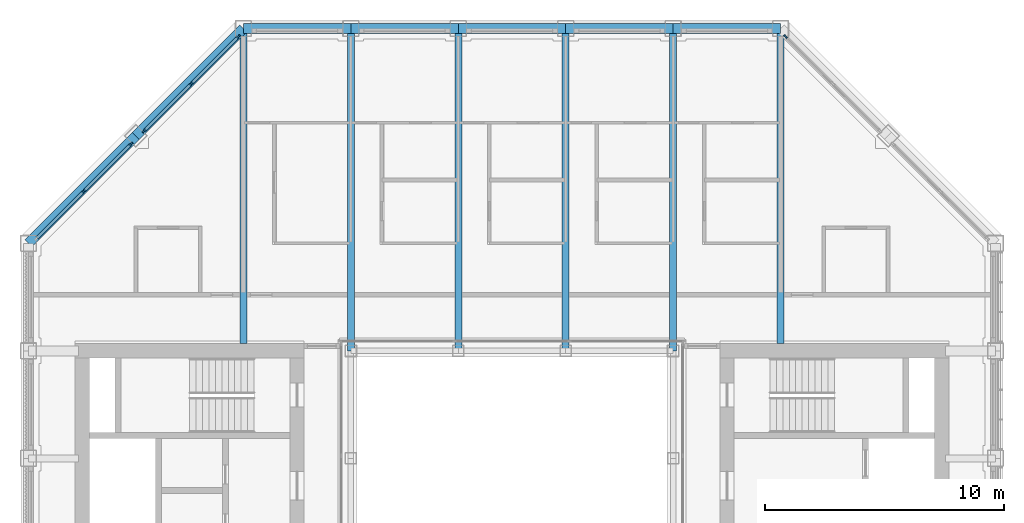
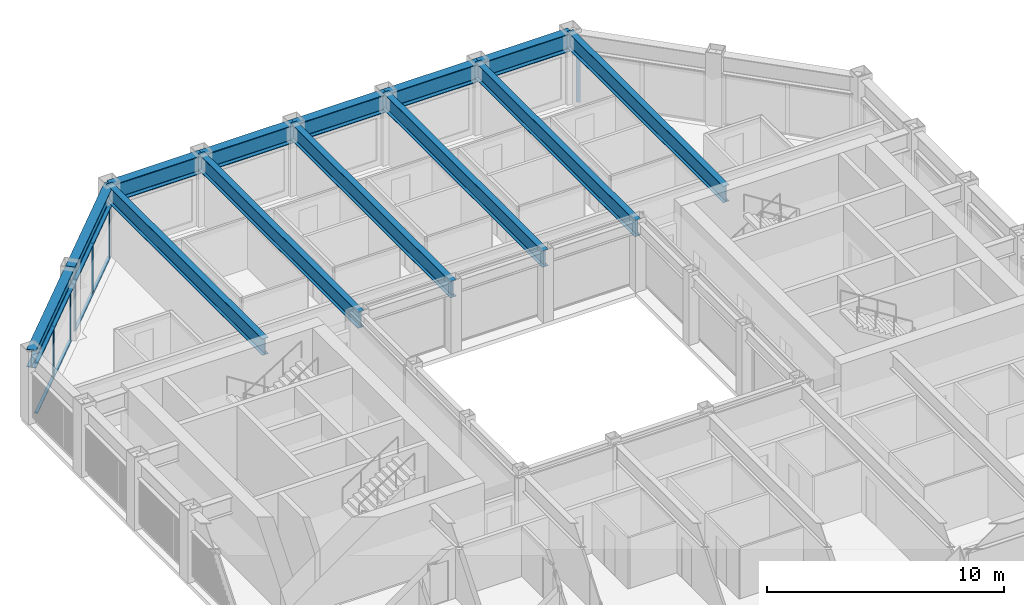
# One storey, part 6 of 18: 14 members, 13 beams, 3 elements without a shape of their own.
"""IFC4 building model written with IfcOpenShell, lengths in metres."""

from ifc_helpers import new_model, si_unit, direction, frame, origin, origin_2d, place, context, subcontext, project, spatial, rectangle, i_section, extrude, material, material_profile, profile_set, type_object, element, aggregate, save


model = new_model("IFC4")

# Units and contexts
model_context = context("Model", 3, precision=1e-05, world=origin(), true_north=direction((0.0, 1.0)))
body_context = subcontext(model_context, "Body", "Model", "MODEL_VIEW")
ifc_project = project(units=[si_unit("LENGTHUNIT", "METRE"), si_unit("AREAUNIT", "SQUARE_METRE"), si_unit("VOLUMEUNIT", "CUBIC_METRE"), si_unit("PLANEANGLEUNIT", "RADIAN"), si_unit("MASSUNIT", "GRAM", prefix="KILO")], contexts=[model_context])

# Site, building, storey
site_placement = place(None, origin())
site = spatial("IfcSite", under=ifc_project, at=site_placement, CompositionType="ELEMENT")
building_placement = place(site_placement, origin())
building = spatial("IfcBuilding", under=site, at=building_placement, Name="Msasa Ring Tower", CompositionType="ELEMENT")
storey_placement = place(building_placement, frame((0.0, 0.0, 245.800048828125)))
storey = spatial("IfcBuildingStorey", under=building, at=storey_placement, Name="L64", CompositionType="ELEMENT", Elevation=245.800048828125)

# Curtain wall, member
ifc_material_1 = material(Name="Aluminium curtain wall with clear glass", Category="aluminium")
curtain_wall_type = type_object("IfcCurtainWallType", Name="CW-C CHAMFER CORNER CURTAIN WALL", PredefinedType="NOTDEFINED", material=ifc_material_1)
curtain_wall_1_placement = place(storey_placement, origin())
curtain_wall_1 = element("IfcCurtainWall", 1, at=curtain_wall_1_placement, inside=storey, type_object=curtain_wall_type, Name="Chamfer corner curtain wall NE L64", PredefinedType="NOTDEFINED")
ifc_material_2 = material(Name="Aluminium mullion", Category="aluminium")
ifc_material_profile_1 = material_profile(ifc_material_2, rectangle(XDim=0.06494140625, YDim=0.179931640625, at=origin_2d()), Name="AL 65x180")
ifc_profile_set_1 = profile_set([ifc_material_profile_1], Name="Aluminium mullion")
member_type_1 = type_object("IfcMemberType", Name="CW-C MULLION 65x180", PredefinedType="MULLION", material=ifc_profile_set_1)
member_1_placement = place(storey_placement, frame((11.453369140625, 19.9052734375, 0.0), z_axis=(0.0, 0.0, 1.0), x_axis=(-0.707106781187, -0.707106781187, 0.0)))
member_1 = element("IfcMember", 2, at=member_1_placement, type_object=member_type_1, Name="CW-C mullion 3", PredefinedType="MULLION", context=body_context, shape_type="SweptSolid", body=[
    extrude(rectangle(XDim=0.06494140625, YDim=0.179931640625, at=origin_2d()), origin(), (0.0, 0.0, 1.0), 2.62890625),
])
aggregate(curtain_wall_1, [member_1])

# Curtain wall, members
curtain_wall_2_placement = place(storey_placement, origin())
curtain_wall_2 = element("IfcCurtainWall", 3, at=curtain_wall_2_placement, inside=storey, type_object=curtain_wall_type, Name="Chamfer corner curtain wall NW L64", PredefinedType="NOTDEFINED")
member_2_placement = place(storey_placement, frame((-15.953369140625, 15.4052734375, 0.0), z_axis=(0.0, 0.0, 1.0), x_axis=(0.707106781187, -0.707106781187, 0.0)))
member_2 = element("IfcMember", 4, at=member_2_placement, type_object=member_type_1, Name="CW-C mullion 1", PredefinedType="MULLION", context=body_context, shape_type="SweptSolid", body=[
    extrude(rectangle(XDim=0.06494140625, YDim=0.179931640625, at=origin_2d()), origin(), (0.0, 0.0, 1.0), 2.62890625),
])
member_3_placement = place(storey_placement, frame((-17.92919921875, 13.42919921875, 0.0), z_axis=(0.0, 0.0, 1.0), x_axis=(0.707106781187, -0.707106781187, 0.0)))
member_3 = element("IfcMember", 5, at=member_3_placement, type_object=member_type_1, Name="CW-C mullion 2", PredefinedType="MULLION", context=body_context, shape_type="SweptSolid", body=[
    extrude(rectangle(XDim=0.06494140625, YDim=0.179931640625, at=origin_2d()), origin(), (0.0, 0.0, 1.0), 2.62890625),
])

curtain_wall_3_placement = place(storey_placement, origin())
curtain_wall_3 = element("IfcCurtainWall", 6, at=curtain_wall_3_placement, inside=storey, type_object=curtain_wall_type, Name="Chamfer corner curtain wall NW L64", PredefinedType="NOTDEFINED")
member_4_placement = place(storey_placement, frame((-11.453369140625, 19.9052734375, 0.0), z_axis=(0.0, 0.0, 1.0), x_axis=(0.707106781187, -0.707106781187, 0.0)))
member_4 = element("IfcMember", 7, at=member_4_placement, type_object=member_type_1, Name="CW-C mullion 1", PredefinedType="MULLION", context=body_context, shape_type="SweptSolid", body=[
    extrude(rectangle(XDim=0.06494140625, YDim=0.179931640625, at=origin_2d()), origin(), (0.0, 0.0, 1.0), 2.62890625),
])
member_5_placement = place(storey_placement, frame((-13.42919921875, 17.92919921875, 0.0), z_axis=(0.0, 0.0, 1.0), x_axis=(0.707106781187, -0.707106781187, 0.0)))
member_5 = element("IfcMember", 8, at=member_5_placement, type_object=member_type_1, Name="CW-C mullion 2", PredefinedType="MULLION", context=body_context, shape_type="SweptSolid", body=[
    extrude(rectangle(XDim=0.06494140625, YDim=0.179931640625, at=origin_2d()), origin(), (0.0, 0.0, 1.0), 2.62890625),
])
member_6_placement = place(storey_placement, frame((-15.4052734375, 15.953369140625, 0.0), z_axis=(0.0, 0.0, 1.0), x_axis=(0.707106781187, -0.707106781187, 0.0)))
member_6 = element("IfcMember", 9, at=member_6_placement, type_object=member_type_1, Name="CW-C mullion 3", PredefinedType="MULLION", context=body_context, shape_type="SweptSolid", body=[
    extrude(rectangle(XDim=0.06494140625, YDim=0.179931640625, at=origin_2d()), origin(), (0.0, 0.0, 1.0), 2.62890625),
])

# Member
ifc_material_3 = material(Name="Aluminium transom", Category="aluminium")
ifc_material_profile_2 = material_profile(ifc_material_3, rectangle(XDim=0.139892578125, YDim=0.06494140625, at=origin_2d()), Name="AL 65x140")
ifc_profile_set_2 = profile_set([ifc_material_profile_2], Name="Aluminium transom")
member_type_2 = type_object("IfcMemberType", Name="CW-C TRANSOM 65x140", PredefinedType="USERDEFINED", material=ifc_profile_set_2)
member_7_placement = place(storey_placement, frame((-15.976318359375, 15.38232421875, 0.032470703125), z_axis=(-0.707106781187, -0.707106781187, 0.0), x_axis=(0.707106781187, -0.707106781187, 0.0)))
member_7 = element("IfcMember", 10, at=member_7_placement, type_object=member_type_2, Name="CW-C transom 1.1", ObjectType="TRANSOM", PredefinedType="USERDEFINED", context=body_context, shape_type="SweptSolid", body=[
    extrude(rectangle(XDim=0.139892578125, YDim=0.06494140625, at=origin_2d()), origin(), (0.0, 0.0, 1.0), 2.729248046875),
])

member_8_placement = place(storey_placement, frame((-15.976318359375, 15.38232421875, 2.596435546875), z_axis=(-0.707106781187, -0.707106781187, 0.0), x_axis=(0.707106781187, -0.707106781187, 0.0)))
member_8 = element("IfcMember", 11, at=member_8_placement, type_object=member_type_2, Name="CW-C transom 1.2", ObjectType="TRANSOM", PredefinedType="USERDEFINED", context=body_context, shape_type="SweptSolid", body=[
    extrude(rectangle(XDim=0.139892578125, YDim=0.06494140625, at=origin_2d()), origin(), (0.0, 0.0, 1.0), 2.729248046875),
])

member_9_placement = place(storey_placement, frame((-17.952392578125, 13.40625, 0.032470703125), z_axis=(-0.707106781187, -0.707106781187, 0.0), x_axis=(0.707106781187, -0.707106781187, 0.0)))
member_9 = element("IfcMember", 12, at=member_9_placement, type_object=member_type_2, Name="CW-C transom 2.1", ObjectType="TRANSOM", PredefinedType="USERDEFINED", context=body_context, shape_type="SweptSolid", body=[
    extrude(rectangle(XDim=0.139892578125, YDim=0.06494140625, at=origin_2d()), origin(), (0.0, 0.0, 1.0), 2.729248046875),
])

member_10_placement = place(storey_placement, frame((-17.952392578125, 13.40625, 2.596435546875), z_axis=(-0.707106781187, -0.707106781187, 0.0), x_axis=(0.707106781187, -0.707106781187, 0.0)))
member_10 = element("IfcMember", 13, at=member_10_placement, type_object=member_type_2, Name="CW-C transom 2.2", ObjectType="TRANSOM", PredefinedType="USERDEFINED", context=body_context, shape_type="SweptSolid", body=[
    extrude(rectangle(XDim=0.139892578125, YDim=0.06494140625, at=origin_2d()), origin(), (0.0, 0.0, 1.0), 2.729248046875),
])

aggregate(curtain_wall_2, [member_2, member_3, member_7, member_8, member_9, member_10])

member_11_placement = place(storey_placement, frame((-11.476318359375, 19.88232421875, 0.032470703125), z_axis=(-0.707106781187, -0.707106781187, 0.0), x_axis=(0.707106781187, -0.707106781187, 0.0)))
member_11 = element("IfcMember", 14, at=member_11_placement, type_object=member_type_2, Name="CW-C transom 1.1", ObjectType="TRANSOM", PredefinedType="USERDEFINED", context=body_context, shape_type="SweptSolid", body=[
    extrude(rectangle(XDim=0.139892578125, YDim=0.06494140625, at=origin_2d()), origin(), (0.0, 0.0, 1.0), 2.729248046875),
])

member_12_placement = place(storey_placement, frame((-11.476318359375, 19.88232421875, 2.596435546875), z_axis=(-0.707106781187, -0.707106781187, 0.0), x_axis=(0.707106781187, -0.707106781187, 0.0)))
member_12 = element("IfcMember", 15, at=member_12_placement, type_object=member_type_2, Name="CW-C transom 1.2", ObjectType="TRANSOM", PredefinedType="USERDEFINED", context=body_context, shape_type="SweptSolid", body=[
    extrude(rectangle(XDim=0.139892578125, YDim=0.06494140625, at=origin_2d()), origin(), (0.0, 0.0, 1.0), 2.729248046875),
])

member_13_placement = place(storey_placement, frame((-13.452392578125, 17.90625, 0.032470703125), z_axis=(-0.707106781187, -0.707106781187, 0.0), x_axis=(0.707106781187, -0.707106781187, 0.0)))
member_13 = element("IfcMember", 16, at=member_13_placement, type_object=member_type_2, Name="CW-C transom 2.1", ObjectType="TRANSOM", PredefinedType="USERDEFINED", context=body_context, shape_type="SweptSolid", body=[
    extrude(rectangle(XDim=0.139892578125, YDim=0.06494140625, at=origin_2d()), origin(), (0.0, 0.0, 1.0), 2.729248046875),
])

member_14_placement = place(storey_placement, frame((-13.452392578125, 17.90625, 2.596435546875), z_axis=(-0.707106781187, -0.707106781187, 0.0), x_axis=(0.707106781187, -0.707106781187, 0.0)))
member_14 = element("IfcMember", 17, at=member_14_placement, type_object=member_type_2, Name="CW-C transom 2.2", ObjectType="TRANSOM", PredefinedType="USERDEFINED", context=body_context, shape_type="SweptSolid", body=[
    extrude(rectangle(XDim=0.139892578125, YDim=0.06494140625, at=origin_2d()), origin(), (0.0, 0.0, 1.0), 2.729248046875),
])

aggregate(curtain_wall_3, [member_4, member_5, member_6, member_11, member_12, member_13, member_14])

# Beams
ifc_material_4 = material(Name="Steel S355", Category="steel")
ifc_material_profile_3 = material_profile(ifc_material_4, i_section(OverallWidth=0.293701171875, OverallDepth=0.850830078125, WebThickness=0.01611328125, FlangeThickness=0.02685546875, FilletRadius=0.017822265625, at=origin_2d()), Name="UB 838x292x226")
ifc_profile_set_3 = profile_set([ifc_material_profile_3], Name="Steel S355")
beam_type_1 = type_object("IfcBeamType", Name="FB5 UB 838x292x226", PredefinedType="BEAM", material=ifc_profile_set_3)
beam_1_placement = place(storey_placement, frame((-11.25, 20.25, 3.12451171875), z_axis=(0.0, -1.0, 0.0), x_axis=(1.0, 0.0, 0.0)))
element("IfcBeam", 18, at=beam_1_placement, inside=storey, type_object=beam_type_1, Name="Floor beam N-11.25 under L65", PredefinedType="BEAM", context=body_context, shape_type="SweptSolid", body=[
    extrude(i_section(OverallWidth=0.293701171875, OverallDepth=0.850830078125, WebThickness=0.01611328125, FlangeThickness=0.02685546875, FilletRadius=0.017822265625, at=origin_2d()), origin(), (0.0, 0.0, 1.0), 13.199951171875),
])
for number, where, z_axis, x_axis, name in (
    (19, (-6.75, 20.25, 3.12451171875), (0.0, -1.0, 0.0), (1.0, 0.0, 0.0), "Floor beam N-6.75 under L65"),
    (20, (-2.25, 20.25, 3.12451171875), (0.0, -1.0, 0.0), (1.0, 0.0, 0.0), "Floor beam N-2.25 under L65"),
    (21, (2.25, 20.25, 3.12451171875), (0.0, -1.0, 0.0), (1.0, 0.0, 0.0), "Floor beam N+2.25 under L65"),
    (22, (6.75, 20.25, 3.12451171875), (0.0, -1.0, 0.0), (1.0, 0.0, 0.0), "Floor beam N+6.75 under L65"),
):
    element("IfcBeam", number, at=place(storey_placement, frame(where, z_axis=z_axis, x_axis=x_axis)), inside=storey, type_object=beam_type_1, Name=name, PredefinedType="BEAM", context=body_context, shape_type="SweptSolid", body=[
        extrude(i_section(OverallWidth=0.293701171875, OverallDepth=0.850830078125, WebThickness=0.01611328125, FlangeThickness=0.02685546875, FilletRadius=0.017822265625, at=origin_2d()), origin(), (0.0, 0.0, 1.0), 13.5),
    ])
beam_2_placement = place(storey_placement, frame((11.25, 20.25, 3.12451171875), z_axis=(0.0, -1.0, 0.0), x_axis=(1.0, 0.0, 0.0)))
element("IfcBeam", 23, at=beam_2_placement, inside=storey, type_object=beam_type_1, Name="Floor beam N+11.25 under L65", PredefinedType="BEAM", context=body_context, shape_type="SweptSolid", body=[
    extrude(i_section(OverallWidth=0.293701171875, OverallDepth=0.850830078125, WebThickness=0.01611328125, FlangeThickness=0.02685546875, FilletRadius=0.017822265625, at=origin_2d()), origin(), (0.0, 0.0, 1.0), 13.199951171875),
])
ifc_material_5 = material(Name="Steel S355", Category="steel")
ifc_material_profile_4 = material_profile(ifc_material_5, i_section(OverallWidth=0.42041015625, OverallDepth=0.9208984375, WebThickness=0.021484375, FlangeThickness=0.03662109375, FilletRadius=0.024169921875, at=origin_2d()), Name="UB 914x419x388")
ifc_profile_set_4 = profile_set([ifc_material_profile_4], Name="Steel S355")
beam_type_2 = type_object("IfcBeamType", Name="SB1 UB 914x419x388", PredefinedType="SPANDREL", material=ifc_profile_set_4)
for number, where, z_axis, x_axis, name in (
    (24, (11.25, 20.25, 3.08935546875), (-1.0, 0.0, 0.0), (0.0, -1.0, 0.0), "Spandrel N+11.25 to N+6.75 under L65"),
    (25, (6.75, 20.25, 3.08935546875), (-1.0, 0.0, 0.0), (0.0, -1.0, 0.0), "Spandrel N+6.75 to N+2.25 under L65"),
    (26, (2.25, 20.25, 3.08935546875), (-1.0, 0.0, 0.0), (0.0, -1.0, 0.0), "Spandrel N+2.25 to N-2.25 under L65"),
    (27, (-2.25, 20.25, 3.08935546875), (-1.0, 0.0, 0.0), (0.0, -1.0, 0.0), "Spandrel N-2.25 to N-6.75 under L65"),
    (28, (-6.75, 20.25, 3.08935546875), (-1.0, 0.0, 0.0), (0.0, -1.0, 0.0), "Spandrel N-6.75 to N-11.25 under L65"),
):
    element("IfcBeam", number, at=place(storey_placement, frame(where, z_axis=z_axis, x_axis=x_axis)), inside=storey, type_object=beam_type_2, Name=name, PredefinedType="SPANDREL", context=body_context, shape_type="SweptSolid", body=[
        extrude(i_section(OverallWidth=0.42041015625, OverallDepth=0.9208984375, WebThickness=0.021484375, FlangeThickness=0.03662109375, FilletRadius=0.024169921875, at=origin_2d()), origin(), (0.0, 0.0, 1.0), 4.5),
    ])
for number, where, z_axis, x_axis, name in (
    (29, (-11.25, 20.25, 3.08935546875), (-0.707106781187, -0.707106781187, 0.0), (0.707106781187, -0.707106781187, 0.0), "Spandrel N-11.25 to NW under L65"),
    (30, (-15.75, 15.75, 3.08935546875), (-0.707106781187, -0.707106781187, 0.0), (0.707106781187, -0.707106781187, 0.0), "Spandrel NW to W+11.25 under L65"),
):
    element("IfcBeam", number, at=place(storey_placement, frame(where, z_axis=z_axis, x_axis=x_axis)), inside=storey, type_object=beam_type_2, Name=name, PredefinedType="SPANDREL", context=body_context, shape_type="SweptSolid", body=[
        extrude(i_section(OverallWidth=0.42041015625, OverallDepth=0.9208984375, WebThickness=0.021484375, FlangeThickness=0.03662109375, FilletRadius=0.024169921875, at=origin_2d()), origin(), (0.0, 0.0, 1.0), 6.364013671875),
    ])

save(model, "model.ifc")
